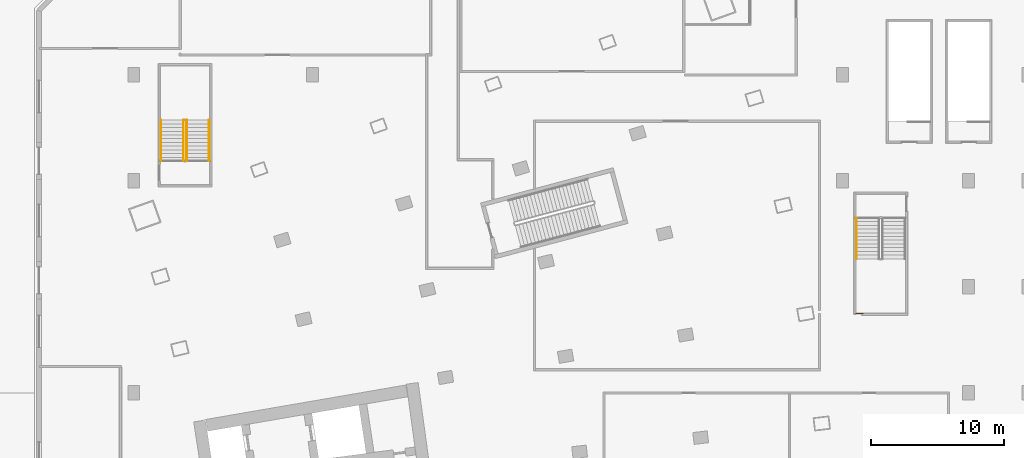
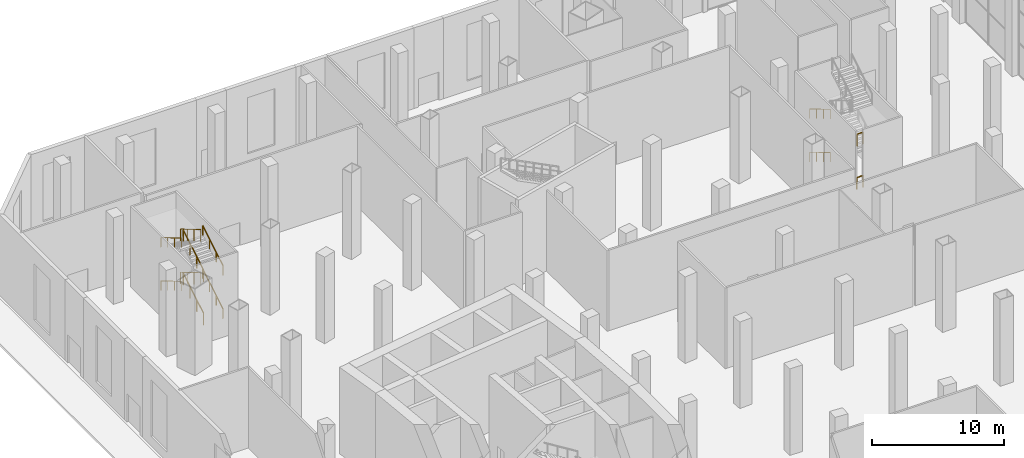
# One storey, part 30 of 33: 12 railings.
"""IFC4 building model written with IfcOpenShell, lengths in metres."""

from ifc_helpers import new_model, si_unit, direction, frame, origin, origin_with_axes, origin_2d, place, context, subcontext, project, spatial, rectangle, extrude, material, type_object, element, save


model = new_model("IFC4")

# Units and contexts
model_context = context("Model", 3, precision=1e-05, world=origin(), true_north=direction((0.0, 1.0)))
body_context = subcontext(model_context, "Body", "Model", "MODEL_VIEW")
ifc_project = project(units=[si_unit("LENGTHUNIT", "METRE"), si_unit("AREAUNIT", "SQUARE_METRE"), si_unit("VOLUMEUNIT", "CUBIC_METRE"), si_unit("PLANEANGLEUNIT", "RADIAN"), si_unit("MASSUNIT", "GRAM", prefix="KILO")], contexts=[model_context])

# Site, building, storey
site_placement = place(None, origin())
site = spatial("IfcSite", under=ifc_project, at=site_placement, CompositionType="ELEMENT")
building_placement = place(site_placement, origin())
building = spatial("IfcBuilding", under=site, at=building_placement, Name="Alderwake Tower", CompositionType="ELEMENT")
storey_placement = place(building_placement, origin())
storey = spatial("IfcBuildingStorey", under=building, at=storey_placement, Name="L00", CompositionType="ELEMENT", Elevation=0.0)

# Railings
ifc_material_1 = material(Name="Stainless steel guard", Category="steel")
railing_type_1 = type_object("IfcRailingType", Name="Stair guard 1100", PredefinedType="GUARDRAIL", material=ifc_material_1)
railing_1_placement = place(storey_placement, frame((14.5, 97.5, 0.166748046875)))
element("IfcRailing", 1, at=railing_1_placement, inside=storey, type_object=railing_type_1, Name="L00 ST-P2 stair guard 1", PredefinedType="GUARDRAIL", context=body_context, shape_type="SweptSolid", body=[
    extrude(rectangle(XDim=0.048095703125, YDim=0.048095703125, at=origin_2d()), frame((0.0, 0.0, 1.076171875), z_axis=(0.0, 0.859308565015, 0.511457515432), x_axis=(-1.0, 0.0, 0.0)), (0.0, 0.0, 1.0), 3.58447265625),
    extrude(rectangle(XDim=0.0419921875, YDim=0.0419921875, at=origin_2d()), frame((0.0, 0.0, 0.0), z_axis=(0.0, 0.0, 1.0), x_axis=(0.0, 1.0, 0.0)), (0.0, 0.0, 1.0), 1.052001953125),
    extrude(rectangle(XDim=0.0419921875, YDim=0.0419921875, at=origin_2d()), frame((0.0, 1.026611328125, 0.611083984375), z_axis=(0.0, 0.0, 1.0), x_axis=(0.0, 1.0, 0.0)), (0.0, 0.0, 1.0), 1.052001953125),
    extrude(rectangle(XDim=0.0419921875, YDim=0.0419921875, at=origin_2d()), frame((0.0, 2.053466796875, 1.22216796875), z_axis=(0.0, 0.0, 1.0), x_axis=(0.0, 1.0, 0.0)), (0.0, 0.0, 1.0), 1.052001953125),
    extrude(rectangle(XDim=0.0419921875, YDim=0.0419921875, at=origin_2d()), frame((0.0, 3.080078125, 1.833251953125), z_axis=(0.0, 0.0, 1.0), x_axis=(0.0, 1.0, 0.0)), (0.0, 0.0, 1.0), 1.052001953125),
])
railing_2_placement = place(storey_placement, frame((14.25, 100.580078125, 2.166748046875)))
element("IfcRailing", 2, at=railing_2_placement, inside=storey, type_object=railing_type_1, Name="L00 ST-P2 stair guard 3", PredefinedType="GUARDRAIL", context=body_context, shape_type="SweptSolid", body=[
    extrude(rectangle(XDim=0.048095703125, YDim=0.048095703125, at=origin_2d()), frame((0.0, 0.0, 1.076171875), z_axis=(0.0, -0.859308565015, 0.511457515432), x_axis=(1.0, 0.0, 0.0)), (0.0, 0.0, 1.0), 3.58447265625),
    extrude(rectangle(XDim=0.0419921875, YDim=0.0419921875, at=origin_2d()), frame((0.0, 0.0, 0.0), z_axis=(0.0, 0.0, 1.0), x_axis=(0.0, -1.0, 0.0)), (0.0, 0.0, 1.0), 1.052001953125),
    extrude(rectangle(XDim=0.0419921875, YDim=0.0419921875, at=origin_2d()), frame((0.0, -1.026611328125, 0.611083984375), z_axis=(0.0, 0.0, 1.0), x_axis=(0.0, -1.0, 0.0)), (0.0, 0.0, 1.0), 1.052001953125),
    extrude(rectangle(XDim=0.0419921875, YDim=0.0419921875, at=origin_2d()), frame((0.0, -2.053466796875, 1.22216796875), z_axis=(0.0, 0.0, 1.0), x_axis=(0.0, -1.0, 0.0)), (0.0, 0.0, 1.0), 1.052001953125),
    extrude(rectangle(XDim=0.0419921875, YDim=0.0419921875, at=origin_2d()), frame((0.0, -3.080078125, 1.833251953125), z_axis=(0.0, 0.0, 1.0), x_axis=(0.0, -1.0, 0.0)), (0.0, 0.0, 1.0), 1.052001953125),
])
railing_3_placement = place(storey_placement, frame((14.5, 97.5, 4.166748046875)))
element("IfcRailing", 3, at=railing_3_placement, inside=storey, type_object=railing_type_1, Name="L00 ST-P2 stair guard 5", PredefinedType="GUARDRAIL", context=body_context, shape_type="SweptSolid", body=[
    extrude(rectangle(XDim=0.048095703125, YDim=0.048095703125, at=origin_2d()), frame((0.0, 0.0, 1.076171875), z_axis=(0.0, 0.859308565015, 0.511457515432), x_axis=(-1.0, 0.0, 0.0)), (0.0, 0.0, 1.0), 3.58447265625),
    extrude(rectangle(XDim=0.0419921875, YDim=0.0419921875, at=origin_2d()), frame((0.0, 0.0, 0.0), z_axis=(0.0, 0.0, 1.0), x_axis=(0.0, 1.0, 0.0)), (0.0, 0.0, 1.0), 1.052001953125),
    extrude(rectangle(XDim=0.0419921875, YDim=0.0419921875, at=origin_2d()), frame((0.0, 1.026611328125, 0.611083984375), z_axis=(0.0, 0.0, 1.0), x_axis=(0.0, 1.0, 0.0)), (0.0, 0.0, 1.0), 1.052001953125),
    extrude(rectangle(XDim=0.0419921875, YDim=0.0419921875, at=origin_2d()), frame((0.0, 2.053466796875, 1.22216796875), z_axis=(0.0, 0.0, 1.0), x_axis=(0.0, 1.0, 0.0)), (0.0, 0.0, 1.0), 1.052001953125),
    extrude(rectangle(XDim=0.0419921875, YDim=0.0419921875, at=origin_2d()), frame((0.0, 3.080078125, 1.833251953125), z_axis=(0.0, 0.0, 1.0), x_axis=(0.0, 1.0, 0.0)), (0.0, 0.0, 1.0), 1.052001953125),
])
railing_4_placement = place(storey_placement, frame((14.25, 100.580078125, 6.166748046875)))
element("IfcRailing", 4, at=railing_4_placement, inside=storey, type_object=railing_type_1, Name="L00 ST-P2 stair guard 7", PredefinedType="GUARDRAIL", context=body_context, shape_type="SweptSolid", body=[
    extrude(rectangle(XDim=0.048095703125, YDim=0.048095703125, at=origin_2d()), frame((0.0, 0.0, 1.076171875), z_axis=(0.0, -0.859308565015, 0.511457515432), x_axis=(1.0, 0.0, 0.0)), (0.0, 0.0, 1.0), 3.58447265625),
    extrude(rectangle(XDim=0.0419921875, YDim=0.0419921875, at=origin_2d()), frame((0.0, 0.0, 0.0), z_axis=(0.0, 0.0, 1.0), x_axis=(0.0, -1.0, 0.0)), (0.0, 0.0, 1.0), 1.052001953125),
    extrude(rectangle(XDim=0.0419921875, YDim=0.0419921875, at=origin_2d()), frame((0.0, -1.026611328125, 0.611083984375), z_axis=(0.0, 0.0, 1.0), x_axis=(0.0, -1.0, 0.0)), (0.0, 0.0, 1.0), 1.052001953125),
    extrude(rectangle(XDim=0.0419921875, YDim=0.0419921875, at=origin_2d()), frame((0.0, -2.053466796875, 1.22216796875), z_axis=(0.0, 0.0, 1.0), x_axis=(0.0, -1.0, 0.0)), (0.0, 0.0, 1.0), 1.052001953125),
    extrude(rectangle(XDim=0.0419921875, YDim=0.0419921875, at=origin_2d()), frame((0.0, -3.080078125, 1.833251953125), z_axis=(0.0, 0.0, 1.0), x_axis=(0.0, -1.0, 0.0)), (0.0, 0.0, 1.0), 1.052001953125),
])
for number, where, name in (
    (5, (65.0, 86.0, 2.0), "L00 landing guard ST-P3.L1"),
    (6, (65.0, 86.0, 6.0), "L00 landing guard ST-P3.L3"),
):
    element("IfcRailing", number, at=place(storey_placement, frame(where)), inside=storey, type_object=railing_type_1, Name=name, PredefinedType="GUARDRAIL", context=body_context, shape_type="SweptSolid", body=[
        extrude(rectangle(XDim=0.048095703125, YDim=0.048095703125, at=origin_2d()), frame((0.0, 0.0, 1.076171875), z_axis=(1.0, 0.0, 0.0), x_axis=(0.0, 1.0, 0.0)), (0.0, 0.0, 1.0), 0.548095703125),
        extrude(rectangle(XDim=0.0419921875, YDim=0.0419921875, at=origin_2d()), origin_with_axes(), (0.0, 0.0, 1.0), 1.052001953125),
        extrude(rectangle(XDim=0.0419921875, YDim=0.0419921875, at=origin_2d()), frame((0.548095703125, 0.0, 0.0), z_axis=(0.0, 0.0, 1.0), x_axis=(1.0, 0.0, 0.0)), (0.0, 0.0, 1.0), 1.052001953125),
    ])
ifc_material_2 = material(Name="Stainless steel handrail", Category="steel")
railing_type_2 = type_object("IfcRailingType", Name="Stair handrail 900", PredefinedType="HANDRAIL", material=ifc_material_2)
railing_5_placement = place(storey_placement, frame((16.199951171875, 97.5, 0.166748046875)))
element("IfcRailing", 7, at=railing_5_placement, inside=storey, type_object=railing_type_2, Name="L00 ST-P2 stair handrail 1", PredefinedType="HANDRAIL", context=body_context, shape_type="SweptSolid", body=[
    extrude(rectangle(XDim=0.048095703125, YDim=0.048095703125, at=origin_2d()), frame((0.0, 0.0, 0.8759765625), z_axis=(0.0, 0.859308565015, 0.511457515432), x_axis=(-1.0, 0.0, 0.0)), (0.0, 0.0, 1.0), 3.58447265625),
    extrude(rectangle(XDim=0.0419921875, YDim=0.0419921875, at=origin_2d()), frame((0.0, 0.0, 0.0), z_axis=(0.0, 0.0, 1.0), x_axis=(0.0, 1.0, 0.0)), (0.0, 0.0, 1.0), 0.851806640625),
    extrude(rectangle(XDim=0.0419921875, YDim=0.0419921875, at=origin_2d()), frame((0.0, 1.026611328125, 0.611083984375), z_axis=(0.0, 0.0, 1.0), x_axis=(0.0, 1.0, 0.0)), (0.0, 0.0, 1.0), 0.851806640625),
    extrude(rectangle(XDim=0.0419921875, YDim=0.0419921875, at=origin_2d()), frame((0.0, 2.053466796875, 1.22216796875), z_axis=(0.0, 0.0, 1.0), x_axis=(0.0, 1.0, 0.0)), (0.0, 0.0, 1.0), 0.851806640625),
    extrude(rectangle(XDim=0.0419921875, YDim=0.0419921875, at=origin_2d()), frame((0.0, 3.080078125, 1.833251953125), z_axis=(0.0, 0.0, 1.0), x_axis=(0.0, 1.0, 0.0)), (0.0, 0.0, 1.0), 0.851806640625),
])
railing_6_placement = place(storey_placement, frame((12.550048828125, 100.580078125, 2.166748046875)))
element("IfcRailing", 8, at=railing_6_placement, inside=storey, type_object=railing_type_2, Name="L00 ST-P2 stair handrail 2", PredefinedType="HANDRAIL", context=body_context, shape_type="SweptSolid", body=[
    extrude(rectangle(XDim=0.048095703125, YDim=0.048095703125, at=origin_2d()), frame((0.0, 0.0, 0.8759765625), z_axis=(0.0, -0.859308565015, 0.511457515432), x_axis=(1.0, 0.0, 0.0)), (0.0, 0.0, 1.0), 3.58447265625),
    extrude(rectangle(XDim=0.0419921875, YDim=0.0419921875, at=origin_2d()), frame((0.0, 0.0, 0.0), z_axis=(0.0, 0.0, 1.0), x_axis=(0.0, -1.0, 0.0)), (0.0, 0.0, 1.0), 0.851806640625),
    extrude(rectangle(XDim=0.0419921875, YDim=0.0419921875, at=origin_2d()), frame((0.0, -1.026611328125, 0.611083984375), z_axis=(0.0, 0.0, 1.0), x_axis=(0.0, -1.0, 0.0)), (0.0, 0.0, 1.0), 0.851806640625),
    extrude(rectangle(XDim=0.0419921875, YDim=0.0419921875, at=origin_2d()), frame((0.0, -2.053466796875, 1.22216796875), z_axis=(0.0, 0.0, 1.0), x_axis=(0.0, -1.0, 0.0)), (0.0, 0.0, 1.0), 0.851806640625),
    extrude(rectangle(XDim=0.0419921875, YDim=0.0419921875, at=origin_2d()), frame((0.0, -3.080078125, 1.833251953125), z_axis=(0.0, 0.0, 1.0), x_axis=(0.0, -1.0, 0.0)), (0.0, 0.0, 1.0), 0.851806640625),
])
railing_7_placement = place(storey_placement, frame((16.199951171875, 97.5, 4.166748046875)))
element("IfcRailing", 9, at=railing_7_placement, inside=storey, type_object=railing_type_2, Name="L00 ST-P2 stair handrail 3", PredefinedType="HANDRAIL", context=body_context, shape_type="SweptSolid", body=[
    extrude(rectangle(XDim=0.048095703125, YDim=0.048095703125, at=origin_2d()), frame((0.0, 0.0, 0.8759765625), z_axis=(0.0, 0.859308565015, 0.511457515432), x_axis=(-1.0, 0.0, 0.0)), (0.0, 0.0, 1.0), 3.58447265625),
    extrude(rectangle(XDim=0.0419921875, YDim=0.0419921875, at=origin_2d()), frame((0.0, 0.0, 0.0), z_axis=(0.0, 0.0, 1.0), x_axis=(0.0, 1.0, 0.0)), (0.0, 0.0, 1.0), 0.851806640625),
    extrude(rectangle(XDim=0.0419921875, YDim=0.0419921875, at=origin_2d()), frame((0.0, 1.026611328125, 0.611083984375), z_axis=(0.0, 0.0, 1.0), x_axis=(0.0, 1.0, 0.0)), (0.0, 0.0, 1.0), 0.851806640625),
    extrude(rectangle(XDim=0.0419921875, YDim=0.0419921875, at=origin_2d()), frame((0.0, 2.053466796875, 1.22216796875), z_axis=(0.0, 0.0, 1.0), x_axis=(0.0, 1.0, 0.0)), (0.0, 0.0, 1.0), 0.851806640625),
    extrude(rectangle(XDim=0.0419921875, YDim=0.0419921875, at=origin_2d()), frame((0.0, 3.080078125, 1.833251953125), z_axis=(0.0, 0.0, 1.0), x_axis=(0.0, 1.0, 0.0)), (0.0, 0.0, 1.0), 0.851806640625),
])
railing_8_placement = place(storey_placement, frame((12.550048828125, 100.580078125, 6.166748046875)))
element("IfcRailing", 10, at=railing_8_placement, inside=storey, type_object=railing_type_2, Name="L00 ST-P2 stair handrail 4", PredefinedType="HANDRAIL", context=body_context, shape_type="SweptSolid", body=[
    extrude(rectangle(XDim=0.048095703125, YDim=0.048095703125, at=origin_2d()), frame((0.0, 0.0, 0.8759765625), z_axis=(0.0, -0.859308565015, 0.511457515432), x_axis=(1.0, 0.0, 0.0)), (0.0, 0.0, 1.0), 3.58447265625),
    extrude(rectangle(XDim=0.0419921875, YDim=0.0419921875, at=origin_2d()), frame((0.0, 0.0, 0.0), z_axis=(0.0, 0.0, 1.0), x_axis=(0.0, -1.0, 0.0)), (0.0, 0.0, 1.0), 0.851806640625),
    extrude(rectangle(XDim=0.0419921875, YDim=0.0419921875, at=origin_2d()), frame((0.0, -1.026611328125, 0.611083984375), z_axis=(0.0, 0.0, 1.0), x_axis=(0.0, -1.0, 0.0)), (0.0, 0.0, 1.0), 0.851806640625),
    extrude(rectangle(XDim=0.0419921875, YDim=0.0419921875, at=origin_2d()), frame((0.0, -2.053466796875, 1.22216796875), z_axis=(0.0, 0.0, 1.0), x_axis=(0.0, -1.0, 0.0)), (0.0, 0.0, 1.0), 0.851806640625),
    extrude(rectangle(XDim=0.0419921875, YDim=0.0419921875, at=origin_2d()), frame((0.0, -3.080078125, 1.833251953125), z_axis=(0.0, 0.0, 1.0), x_axis=(0.0, -1.0, 0.0)), (0.0, 0.0, 1.0), 0.851806640625),
])
for number, where, name in (
    (11, (65.050048828125, 93.199951171875, 0.166748046875), "L00 ST-P3 stair handrail 1"),
    (12, (65.050048828125, 93.199951171875, 4.166748046875), "L00 ST-P3 stair handrail 3"),
):
    element("IfcRailing", number, at=place(storey_placement, frame(where)), inside=storey, type_object=railing_type_2, Name=name, PredefinedType="HANDRAIL", context=body_context, shape_type="SweptSolid", body=[
        extrude(rectangle(XDim=0.048095703125, YDim=0.048095703125, at=origin_2d()), frame((0.0, 0.0, 0.8759765625), z_axis=(0.0, -0.859290745958, 0.51148745235), x_axis=(1.0, 0.0, 0.0)), (0.0, 0.0, 1.0), 3.584228515625),
        extrude(rectangle(XDim=0.0419921875, YDim=0.0419921875, at=origin_2d()), frame((0.0, 0.0, 0.0), z_axis=(0.0, 0.0, 1.0), x_axis=(0.0, -1.0, 0.0)), (0.0, 0.0, 1.0), 0.851806640625),
        extrude(rectangle(XDim=0.0419921875, YDim=0.0419921875, at=origin_2d()), frame((0.0, -1.026611328125, 0.611083984375), z_axis=(0.0, 0.0, 1.0), x_axis=(0.0, -1.0, 0.0)), (0.0, 0.0, 1.0), 0.851806640625),
        extrude(rectangle(XDim=0.0419921875, YDim=0.0419921875, at=origin_2d()), frame((0.0, -2.05322265625, 1.22216796875), z_axis=(0.0, 0.0, 1.0), x_axis=(0.0, -1.0, 0.0)), (0.0, 0.0, 1.0), 0.851806640625),
        extrude(rectangle(XDim=0.0419921875, YDim=0.0419921875, at=origin_2d()), frame((0.0, -3.079833984375, 1.833251953125), z_axis=(0.0, 0.0, 1.0), x_axis=(0.0, -1.0, 0.0)), (0.0, 0.0, 1.0), 0.851806640625),
    ])

save(model, "model.ifc")
